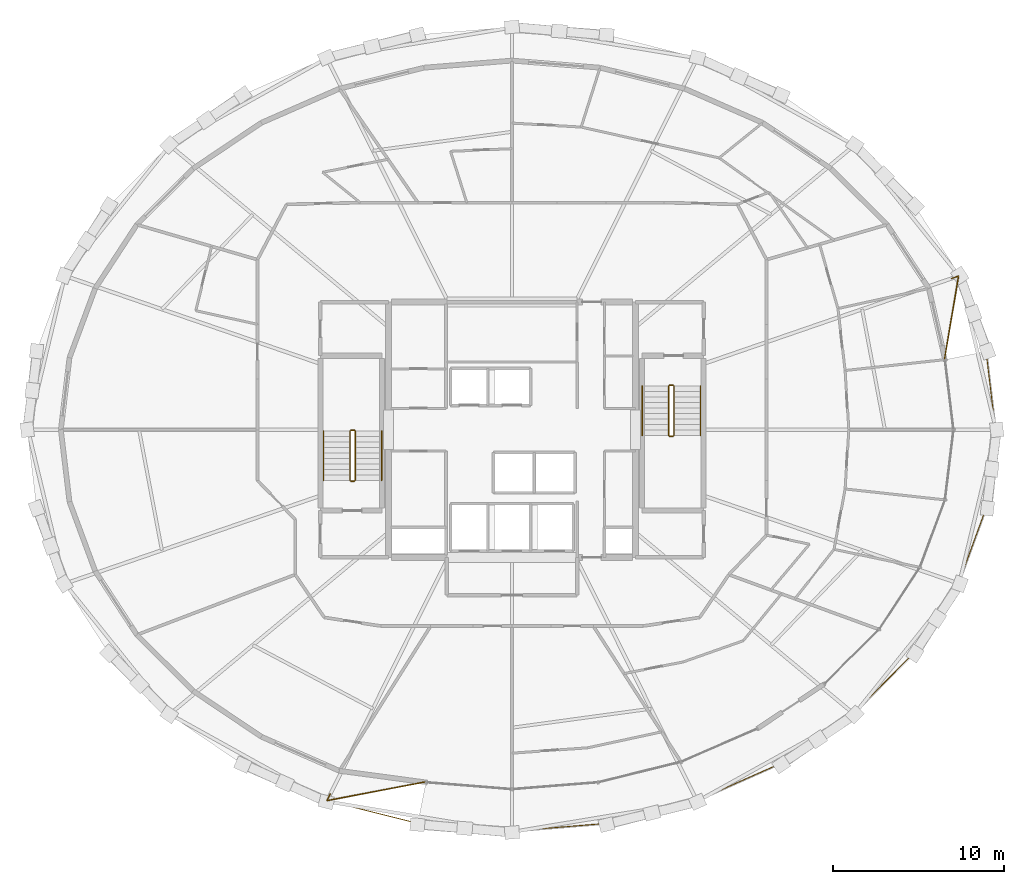
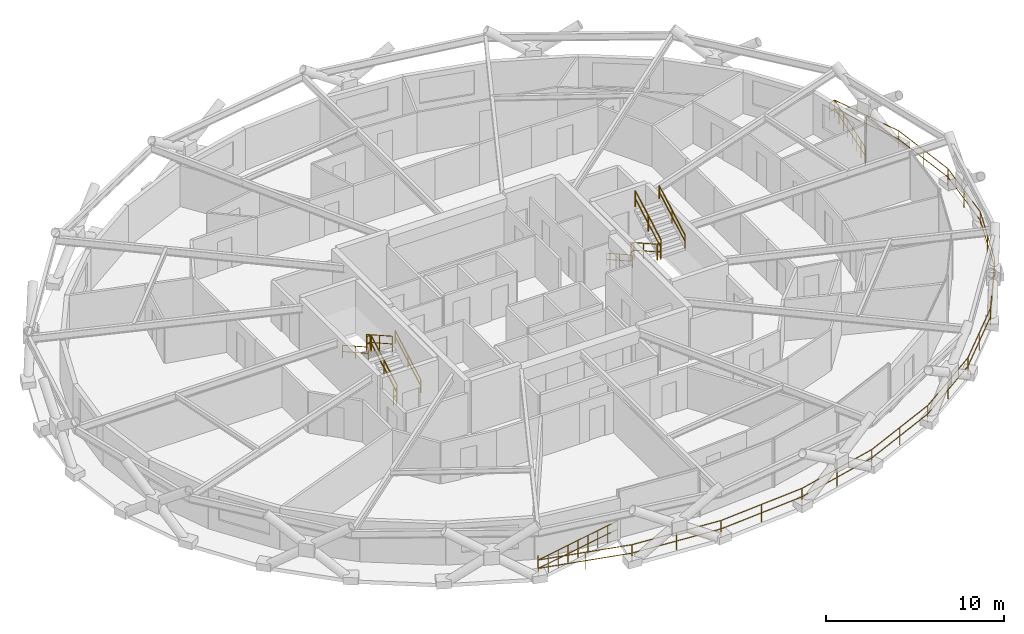
# One storey, part 20 of 20: 15 railings.
"""IFC4 building model written with IfcOpenShell, lengths in metres."""

from ifc_helpers import new_model, si_unit, direction, frame, origin, origin_2d, place, context, subcontext, project, spatial, circle, extrude, material, type_object, element, save


model = new_model("IFC4")

# Units and contexts
model_context = context("Model", 3, precision=1e-05, world=origin(), true_north=direction((0.0, 1.0)))
body_context = subcontext(model_context, "Body", "Model", "MODEL_VIEW")
ifc_project = project(units=[si_unit("LENGTHUNIT", "METRE"), si_unit("AREAUNIT", "SQUARE_METRE"), si_unit("VOLUMEUNIT", "CUBIC_METRE"), si_unit("PLANEANGLEUNIT", "RADIAN"), si_unit("MASSUNIT", "GRAM", prefix="KILO")], contexts=[model_context])

# Site, building, storey
site_placement = place(None, origin())
site = spatial("IfcSite", under=ifc_project, at=site_placement, CompositionType="ELEMENT")
building_placement = place(site_placement, origin())
building = spatial("IfcBuilding", under=site, at=building_placement, Name="Veldorina Hangang Commons", CompositionType="ELEMENT")
storey_placement = place(building_placement, frame((0.0, 0.0, 153.199951171875)))
storey = spatial("IfcBuildingStorey", under=building, at=storey_placement, Name="L39", CompositionType="ELEMENT", Elevation=153.199951171875)

# Railings
ifc_material_1 = material(Name="Glass Laminated Safety Balustrade", Category="glass")
railing_type_1 = type_object("IfcRailingType", Name="RL-BAL-LOGGIA", PredefinedType="BALUSTRADE", material=ifc_material_1)
railing_1_placement = place(storey_placement, frame((21.400634765625, 2.73974609375, 0.0)))
element("IfcRailing", 1, at=railing_1_placement, inside=storey, type_object=railing_type_1, Name="L39 sky-garden loggia end balustrade A", PredefinedType="BALUSTRADE", context=body_context, shape_type="SweptSolid", body=[
    extrude(circle(Radius=0.02392578125, at=origin_2d()), frame((0.0, 0.0, 1.17578125), z_axis=(-0.446283596387, -0.894891586504, 0.0), x_axis=(0.894891586504, -0.446283596387, 0.0)), (0.0, 0.0, 1.0), 0.420166015625),
    extrude(circle(Radius=0.02392578125, at=origin_2d()), frame((0.0, 0.0, 0.60009765625), z_axis=(-0.446283596387, -0.894891586504, 0.0), x_axis=(0.894891586504, -0.446283596387, 0.0)), (0.0, 0.0, 1.0), 0.420166015625),
    extrude(circle(Radius=0.02392578125, at=origin_2d()), frame((-0.1875, -0.3759765625, 1.17578125), z_axis=(0.982256633724, 0.187541743368, 0.0), x_axis=(-0.187541743368, 0.982256633724, 0.0)), (0.0, 0.0, 1.0), 5.875),
    extrude(circle(Radius=0.02392578125, at=origin_2d()), frame((-0.1875, -0.3759765625, 0.60009765625), z_axis=(0.982256633724, 0.187541743368, 0.0), x_axis=(-0.187541743368, 0.982256633724, 0.0)), (0.0, 0.0, 1.0), 5.875),
    extrude(circle(Radius=0.02099609375, at=origin_2d()), origin(), (0.0, 0.0, 1.0), 1.15185546875),
    extrude(circle(Radius=0.02099609375, at=origin_2d()), frame((-0.1875, -0.3759765625, 0.0)), (0.0, 0.0, 1.0), 1.15185546875),
    extrude(circle(Radius=0.02099609375, at=origin_2d()), frame((0.533935546875, -0.23828125, 0.0)), (0.0, 0.0, 1.0), 1.15185546875),
    extrude(circle(Radius=0.02099609375, at=origin_2d()), frame((1.255126953125, -0.1005859375, 0.0)), (0.0, 0.0, 1.0), 1.15185546875),
    extrude(circle(Radius=0.02099609375, at=origin_2d()), frame((1.9765625, 0.037109375, 0.0)), (0.0, 0.0, 1.0), 1.15185546875),
    extrude(circle(Radius=0.02099609375, at=origin_2d()), frame((2.69775390625, 0.1748046875, 0.0)), (0.0, 0.0, 1.0), 1.15185546875),
    extrude(circle(Radius=0.02099609375, at=origin_2d()), frame((3.419189453125, 0.312744140625, 0.0)), (0.0, 0.0, 1.0), 1.15185546875),
    extrude(circle(Radius=0.02099609375, at=origin_2d()), frame((4.140625, 0.450439453125, 0.0)), (0.0, 0.0, 1.0), 1.15185546875),
    extrude(circle(Radius=0.02099609375, at=origin_2d()), frame((4.86181640625, 0.588134765625, 0.0)), (0.0, 0.0, 1.0), 1.15185546875),
    extrude(circle(Radius=0.02099609375, at=origin_2d()), frame((5.583251953125, 0.725830078125, 0.0)), (0.0, 0.0, 1.0), 1.15185546875),
])
railing_2_placement = place(storey_placement, frame((57.655029296875, 32.8291015625, 0.0)))
element("IfcRailing", 2, at=railing_2_placement, inside=storey, type_object=railing_type_1, Name="L39 sky-garden loggia end balustrade B", PredefinedType="BALUSTRADE", context=body_context, shape_type="SweptSolid", body=[
    extrude(circle(Radius=0.02392578125, at=origin_2d()), frame((0.0, 0.0, 1.17578125), z_axis=(0.945558110535, 0.325453314013, 0.0), x_axis=(-0.325453314013, 0.945558110535, 0.0)), (0.0, 0.0, 1.0), 0.420166015625),
    extrude(circle(Radius=0.02392578125, at=origin_2d()), frame((0.0, 0.0, 0.60009765625), z_axis=(0.945558110535, 0.325453314013, 0.0), x_axis=(-0.325453314013, 0.945558110535, 0.0)), (0.0, 0.0, 1.0), 0.420166015625),
    extrude(circle(Radius=0.02392578125, at=origin_2d()), frame((0.397216796875, 0.13671875, 1.17578125), z_axis=(-0.166926177628, -0.985969396697, 0.0), x_axis=(0.985969396697, -0.166926177628, 0.0)), (0.0, 0.0, 1.0), 4.94921875),
    extrude(circle(Radius=0.02392578125, at=origin_2d()), frame((0.397216796875, 0.13671875, 0.60009765625), z_axis=(-0.166926177628, -0.985969396697, 0.0), x_axis=(0.985969396697, -0.166926177628, 0.0)), (0.0, 0.0, 1.0), 4.94921875),
    extrude(circle(Radius=0.02099609375, at=origin_2d()), origin(), (0.0, 0.0, 1.0), 1.15185546875),
    extrude(circle(Radius=0.02099609375, at=origin_2d()), frame((0.397216796875, 0.13671875, 0.0)), (0.0, 0.0, 1.0), 1.15185546875),
    extrude(circle(Radius=0.02099609375, at=origin_2d()), frame((0.279296875, -0.560302734375, 0.0)), (0.0, 0.0, 1.0), 1.15185546875),
    extrude(circle(Radius=0.02099609375, at=origin_2d()), frame((0.1611328125, -1.257568359375, 0.0)), (0.0, 0.0, 1.0), 1.15185546875),
    extrude(circle(Radius=0.02099609375, at=origin_2d()), frame((0.043212890625, -1.95458984375, 0.0)), (0.0, 0.0, 1.0), 1.15185546875),
    extrude(circle(Radius=0.02099609375, at=origin_2d()), frame((-0.074951171875, -2.65185546875, 0.0)), (0.0, 0.0, 1.0), 1.15185546875),
    extrude(circle(Radius=0.02099609375, at=origin_2d()), frame((-0.19287109375, -3.348876953125, 0.0)), (0.0, 0.0, 1.0), 1.15185546875),
    extrude(circle(Radius=0.02099609375, at=origin_2d()), frame((-0.31103515625, -4.046142578125, 0.0)), (0.0, 0.0, 1.0), 1.15185546875),
    extrude(circle(Radius=0.02099609375, at=origin_2d()), frame((-0.428955078125, -4.7431640625, 0.0)), (0.0, 0.0, 1.0), 1.15185546875),
])
railing_3_placement = place(storey_placement, frame((21.213134765625, 2.36376953125, 0.0)))
element("IfcRailing", 3, at=railing_3_placement, inside=storey, type_object=railing_type_1, Name="L39 sky-garden loggia outer balustrade", PredefinedType="BALUSTRADE", context=body_context, shape_type="SweptSolid", body=[
    extrude(circle(Radius=0.02392578125, at=origin_2d()), frame((0.0, 0.0, 1.17578125), z_axis=(0.969762068725, -0.244052310093, 0.0), x_axis=(0.244052310093, 0.969762068725, 0.0)), (0.0, 0.0, 1.0), 5.452880859375),
    extrude(circle(Radius=0.02392578125, at=origin_2d()), frame((0.0, 0.0, 0.60009765625), z_axis=(0.969762068725, -0.244052310093, 0.0), x_axis=(0.244052310093, 0.969762068725, 0.0)), (0.0, 0.0, 1.0), 5.452880859375),
    extrude(circle(Radius=0.02392578125, at=origin_2d()), frame((5.2880859375, -1.330810546875, 1.17578125), z_axis=(0.99667604195, -0.08146697124, 0.0), x_axis=(0.08146697124, 0.99667604195, 0.0)), (0.0, 0.0, 1.0), 5.51708984375),
    extrude(circle(Radius=0.02392578125, at=origin_2d()), frame((5.2880859375, -1.330810546875, 0.60009765625), z_axis=(0.99667604195, -0.08146697124, 0.0), x_axis=(0.08146697124, 0.99667604195, 0.0)), (0.0, 0.0, 1.0), 5.51708984375),
    extrude(circle(Radius=0.02392578125, at=origin_2d()), frame((10.786865234375, -1.7802734375, 1.17578125), z_axis=(0.99667604195, 0.08146697124, 0.0), x_axis=(-0.08146697124, 0.99667604195, 0.0)), (0.0, 0.0, 1.0), 5.51708984375),
    extrude(circle(Radius=0.02392578125, at=origin_2d()), frame((10.786865234375, -1.7802734375, 0.60009765625), z_axis=(0.99667604195, 0.08146697124, 0.0), x_axis=(-0.08146697124, 0.99667604195, 0.0)), (0.0, 0.0, 1.0), 5.51708984375),
    extrude(circle(Radius=0.02392578125, at=origin_2d()), frame((16.28564453125, -1.330810546875, 1.17578125), z_axis=(0.969762068725, 0.244052310093, 0.0), x_axis=(-0.244052310093, 0.969762068725, 0.0)), (0.0, 0.0, 1.0), 5.452880859375),
    extrude(circle(Radius=0.02392578125, at=origin_2d()), frame((16.28564453125, -1.330810546875, 0.60009765625), z_axis=(0.969762068725, 0.244052310093, 0.0), x_axis=(-0.244052310093, 0.969762068725, 0.0)), (0.0, 0.0, 1.0), 5.452880859375),
    extrude(circle(Radius=0.02392578125, at=origin_2d()), frame((21.57373046875, 0.0, 1.17578125), z_axis=(0.914128423989, 0.405424745736, 0.0), x_axis=(-0.405424745736, 0.914128423989, 0.0)), (0.0, 0.0, 1.0), 5.3330078125),
    extrude(circle(Radius=0.02392578125, at=origin_2d()), frame((21.57373046875, 0.0, 0.60009765625), z_axis=(0.914128423989, 0.405424745736, 0.0), x_axis=(-0.405424745736, 0.914128423989, 0.0)), (0.0, 0.0, 1.0), 5.3330078125),
    extrude(circle(Radius=0.02392578125, at=origin_2d()), frame((26.44873046875, 2.162109375, 1.17578125), z_axis=(0.826532881927, 0.562888439297, 0.0), x_axis=(-0.562888439297, 0.826532881927, 0.0)), (0.0, 0.0, 1.0), 5.1708984375),
    extrude(circle(Radius=0.02392578125, at=origin_2d()), frame((26.44873046875, 2.162109375, 0.60009765625), z_axis=(0.826532881927, 0.562888439297, 0.0), x_axis=(-0.562888439297, 0.826532881927, 0.0)), (0.0, 0.0, 1.0), 5.1708984375),
    extrude(circle(Radius=0.02392578125, at=origin_2d()), frame((30.72265625, 5.07275390625, 1.17578125), z_axis=(0.703132848918, 0.711058504465, 0.0), x_axis=(-0.711058504465, 0.703132848918, 0.0)), (0.0, 0.0, 1.0), 4.990234375),
    extrude(circle(Radius=0.02392578125, at=origin_2d()), frame((30.72265625, 5.07275390625, 0.60009765625), z_axis=(0.703132848918, 0.711058504465, 0.0), x_axis=(-0.711058504465, 0.703132848918, 0.0)), (0.0, 0.0, 1.0), 4.990234375),
    extrude(circle(Radius=0.02392578125, at=origin_2d()), frame((34.2314453125, 8.62109375, 1.17578125), z_axis=(0.541423533108, 0.840749997203, 0.0), x_axis=(-0.840749997203, 0.541423533108, 0.0)), (0.0, 0.0, 1.0), 4.81640625),
    extrude(circle(Radius=0.02392578125, at=origin_2d()), frame((34.2314453125, 8.62109375, 0.60009765625), z_axis=(0.541423533108, 0.840749997203, 0.0), x_axis=(-0.840749997203, 0.541423533108, 0.0)), (0.0, 0.0, 1.0), 4.81640625),
    extrude(circle(Radius=0.02392578125, at=origin_2d()), frame((36.839111328125, 12.67041015625, 1.17578125), z_axis=(0.343208886332, 0.939259101815, 0.0), x_axis=(-0.939259101815, 0.343208886332, 0.0)), (0.0, 0.0, 1.0), 4.67919921875),
    extrude(circle(Radius=0.02392578125, at=origin_2d()), frame((36.839111328125, 12.67041015625, 0.60009765625), z_axis=(0.343208886332, 0.939259101815, 0.0), x_axis=(-0.939259101815, 0.343208886332, 0.0)), (0.0, 0.0, 1.0), 4.67919921875),
    extrude(circle(Radius=0.02392578125, at=origin_2d()), frame((38.445068359375, 17.0654296875, 1.17578125), z_axis=(0.117856746592, 0.993030607425, 0.0), x_axis=(-0.993030607425, 0.117856746592, 0.0)), (0.0, 0.0, 1.0), 4.602783203125),
    extrude(circle(Radius=0.02392578125, at=origin_2d()), frame((38.445068359375, 17.0654296875, 0.60009765625), z_axis=(0.117856746592, 0.993030607425, 0.0), x_axis=(-0.993030607425, 0.117856746592, 0.0)), (0.0, 0.0, 1.0), 4.602783203125),
    extrude(circle(Radius=0.02392578125, at=origin_2d()), frame((38.987548828125, 21.63623046875, 1.17578125), z_axis=(-0.117856746592, 0.993030607425, 0.0), x_axis=(-0.993030607425, -0.117856746592, 0.0)), (0.0, 0.0, 1.0), 4.602783203125),
    extrude(circle(Radius=0.02392578125, at=origin_2d()), frame((38.987548828125, 21.63623046875, 0.60009765625), z_axis=(-0.117856746592, 0.993030607425, 0.0), x_axis=(-0.993030607425, -0.117856746592, 0.0)), (0.0, 0.0, 1.0), 4.602783203125),
    extrude(circle(Radius=0.02392578125, at=origin_2d()), frame((38.445068359375, 26.20703125, 1.17578125), z_axis=(-0.343208886332, 0.939259101815, 0.0), x_axis=(-0.939259101815, -0.343208886332, 0.0)), (0.0, 0.0, 1.0), 4.67919921875),
    extrude(circle(Radius=0.02392578125, at=origin_2d()), frame((38.445068359375, 26.20703125, 0.60009765625), z_axis=(-0.343208886332, 0.939259101815, 0.0), x_axis=(-0.939259101815, -0.343208886332, 0.0)), (0.0, 0.0, 1.0), 4.67919921875),
    extrude(circle(Radius=0.02099609375, at=origin_2d()), origin(), (0.0, 0.0, 1.0), 1.15185546875),
    extrude(circle(Radius=0.02099609375, at=origin_2d()), frame((2.64404296875, -0.66552734375, 0.0)), (0.0, 0.0, 1.0), 1.15185546875),
    extrude(circle(Radius=0.02099609375, at=origin_2d()), frame((5.2880859375, -1.330810546875, 0.0)), (0.0, 0.0, 1.0), 1.15185546875),
    extrude(circle(Radius=0.02099609375, at=origin_2d()), frame((8.03759765625, -1.5556640625, 0.0)), (0.0, 0.0, 1.0), 1.15185546875),
    extrude(circle(Radius=0.02099609375, at=origin_2d()), frame((10.786865234375, -1.7802734375, 0.0)), (0.0, 0.0, 1.0), 1.15185546875),
    extrude(circle(Radius=0.02099609375, at=origin_2d()), frame((13.5361328125, -1.5556640625, 0.0)), (0.0, 0.0, 1.0), 1.15185546875),
    extrude(circle(Radius=0.02099609375, at=origin_2d()), frame((16.28564453125, -1.330810546875, 0.0)), (0.0, 0.0, 1.0), 1.15185546875),
    extrude(circle(Radius=0.02099609375, at=origin_2d()), frame((18.9296875, -0.66552734375, 0.0)), (0.0, 0.0, 1.0), 1.15185546875),
    extrude(circle(Radius=0.02099609375, at=origin_2d()), frame((21.57373046875, 0.0, 0.0)), (0.0, 0.0, 1.0), 1.15185546875),
    extrude(circle(Radius=0.02099609375, at=origin_2d()), frame((24.01123046875, 1.0810546875, 0.0)), (0.0, 0.0, 1.0), 1.15185546875),
    extrude(circle(Radius=0.02099609375, at=origin_2d()), frame((26.44873046875, 2.162109375, 0.0)), (0.0, 0.0, 1.0), 1.15185546875),
    extrude(circle(Radius=0.02099609375, at=origin_2d()), frame((28.585693359375, 3.617431640625, 0.0)), (0.0, 0.0, 1.0), 1.15185546875),
    extrude(circle(Radius=0.02099609375, at=origin_2d()), frame((30.72265625, 5.07275390625, 0.0)), (0.0, 0.0, 1.0), 1.15185546875),
    extrude(circle(Radius=0.02099609375, at=origin_2d()), frame((32.47705078125, 6.846923828125, 0.0)), (0.0, 0.0, 1.0), 1.15185546875),
    extrude(circle(Radius=0.02099609375, at=origin_2d()), frame((34.2314453125, 8.62109375, 0.0)), (0.0, 0.0, 1.0), 1.15185546875),
    extrude(circle(Radius=0.02099609375, at=origin_2d()), frame((35.53515625, 10.645751953125, 0.0)), (0.0, 0.0, 1.0), 1.15185546875),
    extrude(circle(Radius=0.02099609375, at=origin_2d()), frame((36.839111328125, 12.67041015625, 0.0)), (0.0, 0.0, 1.0), 1.15185546875),
    extrude(circle(Radius=0.02099609375, at=origin_2d()), frame((37.64208984375, 14.867919921875, 0.0)), (0.0, 0.0, 1.0), 1.15185546875),
    extrude(circle(Radius=0.02099609375, at=origin_2d()), frame((38.445068359375, 17.0654296875, 0.0)), (0.0, 0.0, 1.0), 1.15185546875),
    extrude(circle(Radius=0.02099609375, at=origin_2d()), frame((38.71630859375, 19.350830078125, 0.0)), (0.0, 0.0, 1.0), 1.15185546875),
    extrude(circle(Radius=0.02099609375, at=origin_2d()), frame((38.987548828125, 21.63623046875, 0.0)), (0.0, 0.0, 1.0), 1.15185546875),
    extrude(circle(Radius=0.02099609375, at=origin_2d()), frame((38.71630859375, 23.921630859375, 0.0)), (0.0, 0.0, 1.0), 1.15185546875),
    extrude(circle(Radius=0.02099609375, at=origin_2d()), frame((38.445068359375, 26.20703125, 0.0)), (0.0, 0.0, 1.0), 1.15185546875),
    extrude(circle(Radius=0.02099609375, at=origin_2d()), frame((37.64208984375, 28.404541015625, 0.0)), (0.0, 0.0, 1.0), 1.15185546875),
    extrude(circle(Radius=0.02099609375, at=origin_2d()), frame((36.839111328125, 30.60205078125, 0.0)), (0.0, 0.0, 1.0), 1.15185546875),
])
ifc_material_2 = material(Name="Steel Painted Balustrade", Category="steel")
railing_type_2 = type_object("IfcRailingType", Name="RL-GRD-STAIR", PredefinedType="GUARDRAIL", material=ifc_material_2)
railing_4_placement = place(storey_placement, frame((22.85009765625, 21.050048828125, 0.179931640625)))
element("IfcRailing", 4, at=railing_4_placement, inside=storey, type_object=railing_type_2, Name="L39 ST-1 stair guard 1", PredefinedType="GUARDRAIL", context=body_context, shape_type="SweptSolid", body=[
    extrude(circle(Radius=0.02392578125, at=origin_2d()), frame((0.0, 0.0, 1.076171875), z_axis=(0.0, 0.87155185771, 0.490303333991), x_axis=(-1.0, 0.0, 0.0)), (0.0, 0.0, 1.0), 3.30419921875),
    extrude(circle(Radius=0.02392578125, at=origin_2d()), frame((0.0, 0.0, 0.550048828125), z_axis=(0.0, 0.87155185771, 0.490303333991), x_axis=(-1.0, 0.0, 0.0)), (0.0, 0.0, 1.0), 3.30419921875),
    extrude(circle(Radius=0.02099609375, at=origin_2d()), origin(), (0.0, 0.0, 1.0), 1.052001953125),
    extrude(circle(Radius=0.02099609375, at=origin_2d()), frame((0.0, 1.43994140625, 0.81005859375)), (0.0, 0.0, 1.0), 1.052001953125),
    extrude(circle(Radius=0.02099609375, at=origin_2d()), frame((0.0, 2.8798828125, 1.6201171875)), (0.0, 0.0, 1.0), 1.052001953125),
])
railing_5_placement = place(storey_placement, frame((22.800048828125, 23.97998046875, 1.800048828125)))
element("IfcRailing", 5, at=railing_5_placement, inside=storey, type_object=railing_type_2, Name="L39 ST-1 stair guard 2", PredefinedType="GUARDRAIL", context=body_context, shape_type="SweptSolid", body=[
    extrude(circle(Radius=0.02392578125, at=origin_2d()), frame((0.0, 0.0, 1.076171875), z_axis=(-1.0, 0.0, 0.0), x_axis=(0.0, -1.0, 0.0)), (0.0, 0.0, 1.0), 0.199951171875),
    extrude(circle(Radius=0.02392578125, at=origin_2d()), frame((0.0, 0.0, 0.550048828125), z_axis=(-1.0, 0.0, 0.0), x_axis=(0.0, -1.0, 0.0)), (0.0, 0.0, 1.0), 0.199951171875),
    extrude(circle(Radius=0.02099609375, at=origin_2d()), origin(), (0.0, 0.0, 1.0), 1.052001953125),
    extrude(circle(Radius=0.02099609375, at=origin_2d()), frame((-0.199951171875, 0.0, 0.0)), (0.0, 0.0, 1.0), 1.052001953125),
])
railing_6_placement = place(storey_placement, frame((22.550048828125, 23.929931640625, 1.97998046875)))
element("IfcRailing", 6, at=railing_6_placement, inside=storey, type_object=railing_type_2, Name="L39 ST-1 stair guard 3", PredefinedType="GUARDRAIL", context=body_context, shape_type="SweptSolid", body=[
    extrude(circle(Radius=0.02392578125, at=origin_2d()), frame((0.0, 0.0, 1.076171875), z_axis=(0.0, -0.87155185771, 0.490303333991), x_axis=(1.0, 0.0, 0.0)), (0.0, 0.0, 1.0), 3.30419921875),
    extrude(circle(Radius=0.02392578125, at=origin_2d()), frame((0.0, 0.0, 0.550048828125), z_axis=(0.0, -0.87155185771, 0.490303333991), x_axis=(1.0, 0.0, 0.0)), (0.0, 0.0, 1.0), 3.30419921875),
    extrude(circle(Radius=0.02099609375, at=origin_2d()), origin(), (0.0, 0.0, 1.0), 1.052001953125),
    extrude(circle(Radius=0.02099609375, at=origin_2d()), frame((0.0, -1.43994140625, 0.81005859375)), (0.0, 0.0, 1.0), 1.052001953125),
    extrude(circle(Radius=0.02099609375, at=origin_2d()), frame((0.0, -2.8798828125, 1.6201171875)), (0.0, 0.0, 1.0), 1.052001953125),
])
railing_7_placement = place(storey_placement, frame((22.800048828125, 21.0, 0.0)))
element("IfcRailing", 7, at=railing_7_placement, inside=storey, type_object=railing_type_2, Name="L39 ST-1 stair guard 4", PredefinedType="GUARDRAIL", context=body_context, shape_type="SweptSolid", body=[
    extrude(circle(Radius=0.02392578125, at=origin_2d()), frame((0.0, 0.0, 1.076171875), z_axis=(-1.0, 0.0, 0.0), x_axis=(0.0, -1.0, 0.0)), (0.0, 0.0, 1.0), 0.199951171875),
    extrude(circle(Radius=0.02392578125, at=origin_2d()), frame((0.0, 0.0, 0.550048828125), z_axis=(-1.0, 0.0, 0.0), x_axis=(0.0, -1.0, 0.0)), (0.0, 0.0, 1.0), 0.199951171875),
    extrude(circle(Radius=0.02099609375, at=origin_2d()), origin(), (0.0, 0.0, 1.0), 1.052001953125),
    extrude(circle(Radius=0.02099609375, at=origin_2d()), frame((-0.199951171875, 0.0, 0.0)), (0.0, 0.0, 1.0), 1.052001953125),
])
railing_8_placement = place(storey_placement, frame((41.14990234375, 26.550048828125, 0.179931640625)))
element("IfcRailing", 8, at=railing_8_placement, inside=storey, type_object=railing_type_2, Name="L39 ST-2 stair guard 1", PredefinedType="GUARDRAIL", context=body_context, shape_type="SweptSolid", body=[
    extrude(circle(Radius=0.02392578125, at=origin_2d()), frame((0.0, 0.0, 1.076171875), z_axis=(0.0, -0.871569617843, 0.490271762652), x_axis=(1.0, 0.0, 0.0)), (0.0, 0.0, 1.0), 3.304443359375),
    extrude(circle(Radius=0.02392578125, at=origin_2d()), frame((0.0, 0.0, 0.550048828125), z_axis=(0.0, -0.871569617843, 0.490271762652), x_axis=(1.0, 0.0, 0.0)), (0.0, 0.0, 1.0), 3.304443359375),
    extrude(circle(Radius=0.02099609375, at=origin_2d()), origin(), (0.0, 0.0, 1.0), 1.052001953125),
    extrude(circle(Radius=0.02099609375, at=origin_2d()), frame((0.0, -1.43994140625, 0.81005859375)), (0.0, 0.0, 1.0), 1.052001953125),
    extrude(circle(Radius=0.02099609375, at=origin_2d()), frame((0.0, -2.880126953125, 1.6201171875)), (0.0, 0.0, 1.0), 1.052001953125),
])
railing_9_placement = place(storey_placement, frame((41.199951171875, 23.6201171875, 1.800048828125)))
element("IfcRailing", 9, at=railing_9_placement, inside=storey, type_object=railing_type_2, Name="L39 ST-2 stair guard 2", PredefinedType="GUARDRAIL", context=body_context, shape_type="SweptSolid", body=[
    extrude(circle(Radius=0.02392578125, at=origin_2d()), frame((0.0, 0.0, 1.076171875), z_axis=(1.0, 0.0, 0.0), x_axis=(0.0, 1.0, 0.0)), (0.0, 0.0, 1.0), 0.199951171875),
    extrude(circle(Radius=0.02392578125, at=origin_2d()), frame((0.0, 0.0, 0.550048828125), z_axis=(1.0, 0.0, 0.0), x_axis=(0.0, 1.0, 0.0)), (0.0, 0.0, 1.0), 0.199951171875),
    extrude(circle(Radius=0.02099609375, at=origin_2d()), origin(), (0.0, 0.0, 1.0), 1.052001953125),
    extrude(circle(Radius=0.02099609375, at=origin_2d()), frame((0.199951171875, 0.0, 0.0)), (0.0, 0.0, 1.0), 1.052001953125),
])
railing_10_placement = place(storey_placement, frame((41.449951171875, 23.669921875, 1.97998046875)))
element("IfcRailing", 10, at=railing_10_placement, inside=storey, type_object=railing_type_2, Name="L39 ST-2 stair guard 3", PredefinedType="GUARDRAIL", context=body_context, shape_type="SweptSolid", body=[
    extrude(circle(Radius=0.02392578125, at=origin_2d()), frame((0.0, 0.0, 1.076171875), z_axis=(0.0, 0.871569617843, 0.490271762652), x_axis=(-1.0, 0.0, 0.0)), (0.0, 0.0, 1.0), 3.304443359375),
    extrude(circle(Radius=0.02392578125, at=origin_2d()), frame((0.0, 0.0, 0.550048828125), z_axis=(0.0, 0.871569617843, 0.490271762652), x_axis=(-1.0, 0.0, 0.0)), (0.0, 0.0, 1.0), 3.304443359375),
    extrude(circle(Radius=0.02099609375, at=origin_2d()), origin(), (0.0, 0.0, 1.0), 1.052001953125),
    extrude(circle(Radius=0.02099609375, at=origin_2d()), frame((0.0, 1.43994140625, 0.81005859375)), (0.0, 0.0, 1.0), 1.052001953125),
    extrude(circle(Radius=0.02099609375, at=origin_2d()), frame((0.0, 2.880126953125, 1.6201171875)), (0.0, 0.0, 1.0), 1.052001953125),
])
railing_11_placement = place(storey_placement, frame((41.199951171875, 26.60009765625, 0.0)))
element("IfcRailing", 11, at=railing_11_placement, inside=storey, type_object=railing_type_2, Name="L39 ST-2 stair guard 4", PredefinedType="GUARDRAIL", context=body_context, shape_type="SweptSolid", body=[
    extrude(circle(Radius=0.02392578125, at=origin_2d()), frame((0.0, 0.0, 1.076171875), z_axis=(1.0, 0.0, 0.0), x_axis=(0.0, 1.0, 0.0)), (0.0, 0.0, 1.0), 0.199951171875),
    extrude(circle(Radius=0.02392578125, at=origin_2d()), frame((0.0, 0.0, 0.550048828125), z_axis=(1.0, 0.0, 0.0), x_axis=(0.0, 1.0, 0.0)), (0.0, 0.0, 1.0), 0.199951171875),
    extrude(circle(Radius=0.02099609375, at=origin_2d()), origin(), (0.0, 0.0, 1.0), 1.052001953125),
    extrude(circle(Radius=0.02099609375, at=origin_2d()), frame((0.199951171875, 0.0, 0.0)), (0.0, 0.0, 1.0), 1.052001953125),
])
ifc_material_3 = material(Name="Stainless Steel Brushed 316", Category="steel")
railing_type_3 = type_object("IfcRailingType", Name="RL-HND-STAIR", PredefinedType="HANDRAIL", material=ifc_material_3)
railing_12_placement = place(storey_placement, frame((24.39990234375, 21.050048828125, 0.179931640625)))
element("IfcRailing", 12, at=railing_12_placement, inside=storey, type_object=railing_type_3, Name="L39 ST-1 stair handrail 1", PredefinedType="HANDRAIL", context=body_context, shape_type="SweptSolid", body=[
    extrude(circle(Radius=0.02392578125, at=origin_2d()), frame((0.0, 0.0, 0.8759765625), z_axis=(0.0, 0.87155185771, 0.490303333991), x_axis=(-1.0, 0.0, 0.0)), (0.0, 0.0, 1.0), 3.30419921875),
    extrude(circle(Radius=0.02392578125, at=origin_2d()), frame((0.0, 0.0, 0.449951171875), z_axis=(0.0, 0.87155185771, 0.490303333991), x_axis=(-1.0, 0.0, 0.0)), (0.0, 0.0, 1.0), 3.30419921875),
    extrude(circle(Radius=0.02099609375, at=origin_2d()), origin(), (0.0, 0.0, 1.0), 0.851806640625),
    extrude(circle(Radius=0.02099609375, at=origin_2d()), frame((0.0, 1.43994140625, 0.81005859375)), (0.0, 0.0, 1.0), 0.851806640625),
    extrude(circle(Radius=0.02099609375, at=origin_2d()), frame((0.0, 2.8798828125, 1.6201171875)), (0.0, 0.0, 1.0), 0.851806640625),
])
railing_13_placement = place(storey_placement, frame((21.0, 23.929931640625, 1.97998046875)))
element("IfcRailing", 13, at=railing_13_placement, inside=storey, type_object=railing_type_3, Name="L39 ST-1 stair handrail 2", PredefinedType="HANDRAIL", context=body_context, shape_type="SweptSolid", body=[
    extrude(circle(Radius=0.02392578125, at=origin_2d()), frame((0.0, 0.0, 0.8759765625), z_axis=(0.0, -0.87155185771, 0.490303333991), x_axis=(1.0, 0.0, 0.0)), (0.0, 0.0, 1.0), 3.30419921875),
    extrude(circle(Radius=0.02392578125, at=origin_2d()), frame((0.0, 0.0, 0.449951171875), z_axis=(0.0, -0.87155185771, 0.490303333991), x_axis=(1.0, 0.0, 0.0)), (0.0, 0.0, 1.0), 3.30419921875),
    extrude(circle(Radius=0.02099609375, at=origin_2d()), origin(), (0.0, 0.0, 1.0), 0.851806640625),
    extrude(circle(Radius=0.02099609375, at=origin_2d()), frame((0.0, -1.43994140625, 0.81005859375)), (0.0, 0.0, 1.0), 0.851806640625),
    extrude(circle(Radius=0.02099609375, at=origin_2d()), frame((0.0, -2.8798828125, 1.6201171875)), (0.0, 0.0, 1.0), 0.851806640625),
])
railing_14_placement = place(storey_placement, frame((39.60009765625, 26.550048828125, 0.179931640625)))
element("IfcRailing", 14, at=railing_14_placement, inside=storey, type_object=railing_type_3, Name="L39 ST-2 stair handrail 1", PredefinedType="HANDRAIL", context=body_context, shape_type="SweptSolid", body=[
    extrude(circle(Radius=0.02392578125, at=origin_2d()), frame((0.0, 0.0, 0.8759765625), z_axis=(0.0, -0.871569617843, 0.490271762652), x_axis=(1.0, 0.0, 0.0)), (0.0, 0.0, 1.0), 3.304443359375),
    extrude(circle(Radius=0.02392578125, at=origin_2d()), frame((0.0, 0.0, 0.449951171875), z_axis=(0.0, -0.871569617843, 0.490271762652), x_axis=(1.0, 0.0, 0.0)), (0.0, 0.0, 1.0), 3.304443359375),
    extrude(circle(Radius=0.02099609375, at=origin_2d()), origin(), (0.0, 0.0, 1.0), 0.851806640625),
    extrude(circle(Radius=0.02099609375, at=origin_2d()), frame((0.0, -1.43994140625, 0.81005859375)), (0.0, 0.0, 1.0), 0.851806640625),
    extrude(circle(Radius=0.02099609375, at=origin_2d()), frame((0.0, -2.880126953125, 1.6201171875)), (0.0, 0.0, 1.0), 0.851806640625),
])
railing_15_placement = place(storey_placement, frame((43.0, 23.669921875, 1.97998046875)))
element("IfcRailing", 15, at=railing_15_placement, inside=storey, type_object=railing_type_3, Name="L39 ST-2 stair handrail 2", PredefinedType="HANDRAIL", context=body_context, shape_type="SweptSolid", body=[
    extrude(circle(Radius=0.02392578125, at=origin_2d()), frame((0.0, 0.0, 0.8759765625), z_axis=(0.0, 0.871569617843, 0.490271762652), x_axis=(-1.0, 0.0, 0.0)), (0.0, 0.0, 1.0), 3.304443359375),
    extrude(circle(Radius=0.02392578125, at=origin_2d()), frame((0.0, 0.0, 0.449951171875), z_axis=(0.0, 0.871569617843, 0.490271762652), x_axis=(-1.0, 0.0, 0.0)), (0.0, 0.0, 1.0), 3.304443359375),
    extrude(circle(Radius=0.02099609375, at=origin_2d()), origin(), (0.0, 0.0, 1.0), 0.851806640625),
    extrude(circle(Radius=0.02099609375, at=origin_2d()), frame((0.0, 1.43994140625, 0.81005859375)), (0.0, 0.0, 1.0), 0.851806640625),
    extrude(circle(Radius=0.02099609375, at=origin_2d()), frame((0.0, 2.880126953125, 1.6201171875)), (0.0, 0.0, 1.0), 0.851806640625),
])

save(model, "model.ifc")
